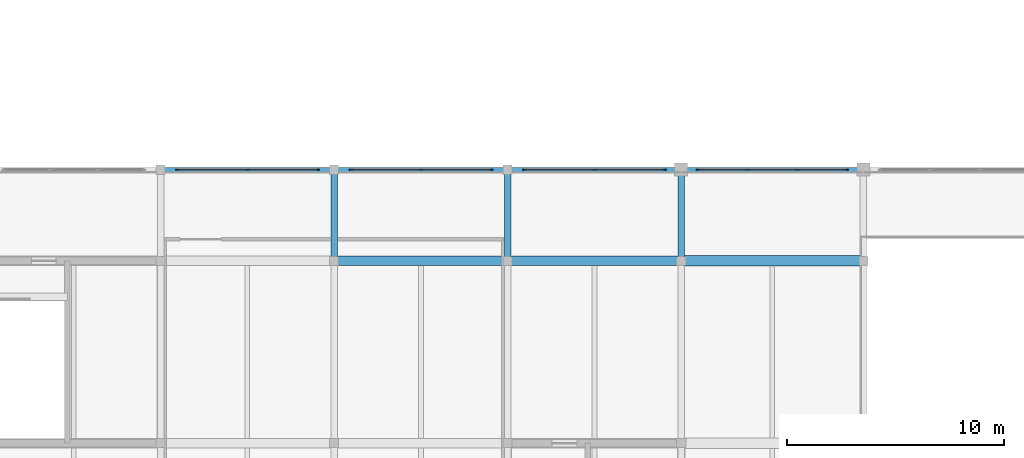
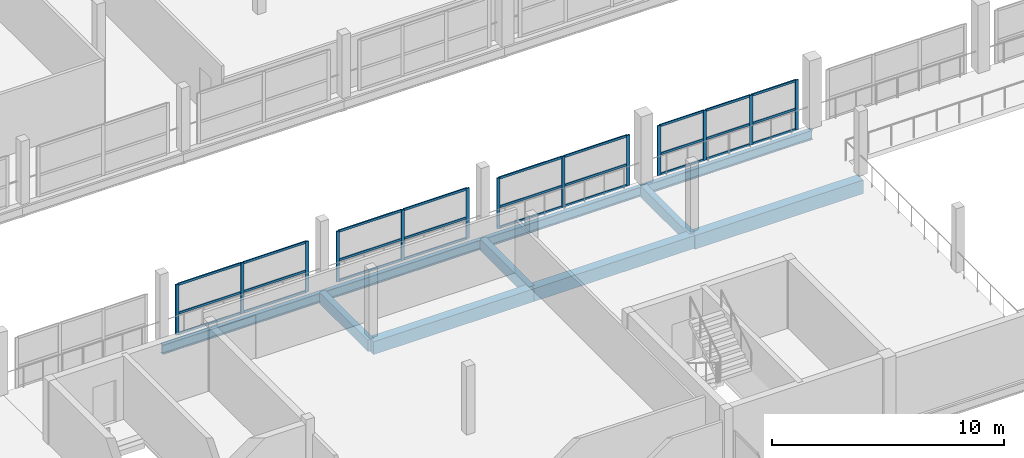
# One storey, part 21 of 51: 40 members, 10 beams, 4 elements without a shape of their own.
"""IFC4 building model written with IfcOpenShell, lengths in metres."""

from ifc_helpers import new_model, si_unit, direction, frame, origin, origin_2d, place, context, subcontext, project, spatial, rectangle, i_section, extrude, material, material_profile, profile_set, type_object, element, aggregate, save


model = new_model("IFC4")

# Units and contexts
model_context = context("Model", 3, precision=1e-05, world=origin(), true_north=direction((0.0, 1.0)))
body_context = subcontext(model_context, "Body", "Model", "MODEL_VIEW")
ifc_project = project(units=[si_unit("LENGTHUNIT", "METRE"), si_unit("AREAUNIT", "SQUARE_METRE"), si_unit("VOLUMEUNIT", "CUBIC_METRE"), si_unit("PLANEANGLEUNIT", "RADIAN"), si_unit("MASSUNIT", "GRAM", prefix="KILO")], contexts=[model_context])

# Site, building, storey
site_placement = place(None, origin())
site = spatial("IfcSite", under=ifc_project, at=site_placement, CompositionType="ELEMENT")
building_placement = place(site_placement, origin())
building = spatial("IfcBuilding", under=site, at=building_placement, Name="Vharandega Faculty of Natural Sciences", CompositionType="ELEMENT")
storey_placement = place(building_placement, frame((0.0, 0.0, 14.39990234375)))
storey = spatial("IfcBuildingStorey", under=building, at=storey_placement, Name="L03", CompositionType="ELEMENT", Elevation=14.39990234375)

# Curtain wall, members
ifc_material_1 = material(Name="Aluminium and solar-control glass curtain wall", Category="aluminium")
curtain_wall_type_1 = type_object("IfcCurtainWallType", Name="Unitised Curtain Wall System CW-12", PredefinedType="NOTDEFINED", material=ifc_material_1)
curtain_wall_1_placement = place(storey_placement, origin())
curtain_wall_1 = element("IfcCurtainWall", 1, at=curtain_wall_1_placement, inside=storey, type_object=curtain_wall_type_1, Name="Curtain Wall CW-L03-095", PredefinedType="NOTDEFINED")
ifc_material_2 = material(Name="Thermally broken aluminium 6063-T6", Category="aluminium")
ifc_material_profile_1 = material_profile(ifc_material_2, rectangle(XDim=0.06005859375, YDim=0.159912109375, at=origin_2d()), Name="ALU 60x160")
ifc_profile_set_1 = profile_set([ifc_material_profile_1], Name="Thermally broken aluminium 6063-T6")
member_type_1 = type_object("IfcMemberType", Name="CW Mullion 60x160", PredefinedType="MULLION", material=ifc_profile_set_1)
member_1_placement = place(storey_placement, frame((32.77001953125, 85.0, 0.0), z_axis=(0.0, 0.0, 1.0), x_axis=(0.0, 1.0, 0.0)))
member_1 = element("IfcMember", 2, at=member_1_placement, type_object=member_type_1, Name="CW-12 mullion 1", PredefinedType="MULLION", context=body_context, shape_type="SweptSolid", body=[
    extrude(rectangle(XDim=0.06005859375, YDim=0.159912109375, at=origin_2d()), origin(), (0.0, 0.0, 1.0), 2.66015625),
])
member_2_placement = place(storey_placement, frame((36.0, 85.0, 0.0), z_axis=(0.0, 0.0, 1.0), x_axis=(0.0, 1.0, 0.0)))
member_2 = element("IfcMember", 3, at=member_2_placement, type_object=member_type_1, Name="CW-12 mullion 2", PredefinedType="MULLION", context=body_context, shape_type="SweptSolid", body=[
    extrude(rectangle(XDim=0.06005859375, YDim=0.159912109375, at=origin_2d()), origin(), (0.0, 0.0, 1.0), 2.66015625),
])
member_3_placement = place(storey_placement, frame((39.22998046875, 85.0, 0.0), z_axis=(0.0, 0.0, 1.0), x_axis=(0.0, 1.0, 0.0)))
member_3 = element("IfcMember", 4, at=member_3_placement, type_object=member_type_1, Name="CW-12 mullion 3", PredefinedType="MULLION", context=body_context, shape_type="SweptSolid", body=[
    extrude(rectangle(XDim=0.06005859375, YDim=0.159912109375, at=origin_2d()), origin(), (0.0, 0.0, 1.0), 2.66015625),
])

ifc_material_3 = material(Name="Aluminium and solar-control glass curtain wall", Category="aluminium")
curtain_wall_type_2 = type_object("IfcCurtainWallType", Name="Unitised Curtain Wall System CW-13", PredefinedType="NOTDEFINED", material=ifc_material_3)
curtain_wall_2_placement = place(storey_placement, origin())
curtain_wall_2 = element("IfcCurtainWall", 5, at=curtain_wall_2_placement, inside=storey, type_object=curtain_wall_type_2, Name="Curtain Wall CW-L03-096", PredefinedType="NOTDEFINED")
member_4_placement = place(storey_placement, frame((40.77001953125, 85.0, 0.0), z_axis=(0.0, 0.0, 1.0), x_axis=(0.0, 1.0, 0.0)))
member_4 = element("IfcMember", 6, at=member_4_placement, type_object=member_type_1, Name="CW-13 mullion 1", PredefinedType="MULLION", context=body_context, shape_type="SweptSolid", body=[
    extrude(rectangle(XDim=0.06005859375, YDim=0.159912109375, at=origin_2d()), origin(), (0.0, 0.0, 1.0), 2.66015625),
])
member_5_placement = place(storey_placement, frame((44.0, 85.0, 0.0), z_axis=(0.0, 0.0, 1.0), x_axis=(0.0, 1.0, 0.0)))
member_5 = element("IfcMember", 7, at=member_5_placement, type_object=member_type_1, Name="CW-13 mullion 2", PredefinedType="MULLION", context=body_context, shape_type="SweptSolid", body=[
    extrude(rectangle(XDim=0.06005859375, YDim=0.159912109375, at=origin_2d()), origin(), (0.0, 0.0, 1.0), 2.66015625),
])
member_6_placement = place(storey_placement, frame((47.22998046875, 85.0, 0.0), z_axis=(0.0, 0.0, 1.0), x_axis=(0.0, 1.0, 0.0)))
member_6 = element("IfcMember", 8, at=member_6_placement, type_object=member_type_1, Name="CW-13 mullion 3", PredefinedType="MULLION", context=body_context, shape_type="SweptSolid", body=[
    extrude(rectangle(XDim=0.06005859375, YDim=0.159912109375, at=origin_2d()), origin(), (0.0, 0.0, 1.0), 2.66015625),
])

ifc_material_4 = material(Name="Aluminium and solar-control glass curtain wall", Category="aluminium")
curtain_wall_type_3 = type_object("IfcCurtainWallType", Name="Unitised Curtain Wall System CW-14", PredefinedType="NOTDEFINED", material=ifc_material_4)
curtain_wall_3_placement = place(storey_placement, origin())
curtain_wall_3 = element("IfcCurtainWall", 9, at=curtain_wall_3_placement, inside=storey, type_object=curtain_wall_type_3, Name="Curtain Wall CW-L03-097", PredefinedType="NOTDEFINED")
member_7_placement = place(storey_placement, frame((48.77001953125, 85.0, 0.0), z_axis=(0.0, 0.0, 1.0), x_axis=(0.0, 1.0, 0.0)))
member_7 = element("IfcMember", 10, at=member_7_placement, type_object=member_type_1, Name="CW-14 mullion 1", PredefinedType="MULLION", context=body_context, shape_type="SweptSolid", body=[
    extrude(rectangle(XDim=0.06005859375, YDim=0.159912109375, at=origin_2d()), origin(), (0.0, 0.0, 1.0), 2.66015625),
])
member_8_placement = place(storey_placement, frame((52.0, 85.0, 0.0), z_axis=(0.0, 0.0, 1.0), x_axis=(0.0, 1.0, 0.0)))
member_8 = element("IfcMember", 11, at=member_8_placement, type_object=member_type_1, Name="CW-14 mullion 2", PredefinedType="MULLION", context=body_context, shape_type="SweptSolid", body=[
    extrude(rectangle(XDim=0.06005859375, YDim=0.159912109375, at=origin_2d()), origin(), (0.0, 0.0, 1.0), 2.66015625),
])
member_9_placement = place(storey_placement, frame((55.22998046875, 85.0, 0.0), z_axis=(0.0, 0.0, 1.0), x_axis=(0.0, 1.0, 0.0)))
member_9 = element("IfcMember", 12, at=member_9_placement, type_object=member_type_1, Name="CW-14 mullion 3", PredefinedType="MULLION", context=body_context, shape_type="SweptSolid", body=[
    extrude(rectangle(XDim=0.06005859375, YDim=0.159912109375, at=origin_2d()), origin(), (0.0, 0.0, 1.0), 2.66015625),
])

ifc_material_5 = material(Name="Aluminium and solar-control glass curtain wall", Category="aluminium")
curtain_wall_type_4 = type_object("IfcCurtainWallType", Name="Unitised Curtain Wall System CW-15", PredefinedType="NOTDEFINED", material=ifc_material_5)
curtain_wall_4_placement = place(storey_placement, origin())
curtain_wall_4 = element("IfcCurtainWall", 13, at=curtain_wall_4_placement, inside=storey, type_object=curtain_wall_type_4, Name="Curtain Wall CW-L03-098", PredefinedType="NOTDEFINED")
member_10_placement = place(storey_placement, frame((56.77001953125, 85.0, 0.0), z_axis=(0.0, 0.0, 1.0), x_axis=(0.0, 1.0, 0.0)))
member_10 = element("IfcMember", 14, at=member_10_placement, type_object=member_type_1, Name="CW-15 mullion 1", PredefinedType="MULLION", context=body_context, shape_type="SweptSolid", body=[
    extrude(rectangle(XDim=0.06005859375, YDim=0.159912109375, at=origin_2d()), origin(), (0.0, 0.0, 1.0), 2.6201171875),
])
member_11_placement = place(storey_placement, frame((59.046630859375, 85.0, 0.0), z_axis=(0.0, 0.0, 1.0), x_axis=(0.0, 1.0, 0.0)))
member_11 = element("IfcMember", 15, at=member_11_placement, type_object=member_type_1, Name="CW-15 mullion 2", PredefinedType="MULLION", context=body_context, shape_type="SweptSolid", body=[
    extrude(rectangle(XDim=0.06005859375, YDim=0.159912109375, at=origin_2d()), origin(), (0.0, 0.0, 1.0), 2.6201171875),
])
member_12_placement = place(storey_placement, frame((61.353271484375, 85.0, 0.0), z_axis=(0.0, 0.0, 1.0), x_axis=(0.0, 1.0, 0.0)))
member_12 = element("IfcMember", 16, at=member_12_placement, type_object=member_type_1, Name="CW-15 mullion 3", PredefinedType="MULLION", context=body_context, shape_type="SweptSolid", body=[
    extrude(rectangle(XDim=0.06005859375, YDim=0.159912109375, at=origin_2d()), origin(), (0.0, 0.0, 1.0), 2.6201171875),
])
member_13_placement = place(storey_placement, frame((63.6298828125, 85.0, 0.0), z_axis=(0.0, 0.0, 1.0), x_axis=(0.0, 1.0, 0.0)))
member_13 = element("IfcMember", 17, at=member_13_placement, type_object=member_type_1, Name="CW-15 mullion 4", PredefinedType="MULLION", context=body_context, shape_type="SweptSolid", body=[
    extrude(rectangle(XDim=0.06005859375, YDim=0.159912109375, at=origin_2d()), origin(), (0.0, 0.0, 1.0), 2.6201171875),
])

# Member
ifc_material_6 = material(Name="Thermally broken aluminium 6063-T6", Category="aluminium")
ifc_material_profile_2 = material_profile(ifc_material_6, rectangle(XDim=0.06005859375, YDim=0.1201171875, at=origin_2d()), Name="ALU 60x120")
ifc_profile_set_2 = profile_set([ifc_material_profile_2], Name="Thermally broken aluminium 6063-T6")
member_type_2 = type_object("IfcMemberType", Name="CW Transom 60x120", PredefinedType="USERDEFINED", material=ifc_profile_set_2)
member_14_placement = place(storey_placement, frame((32.800048828125, 85.0, 0.030029296875), z_axis=(1.0, 0.0, 0.0), x_axis=(0.0, 1.0, 0.0)))
member_14 = element("IfcMember", 18, at=member_14_placement, type_object=member_type_2, Name="CW-12 transom 1.1", ObjectType="TRANSOM", PredefinedType="USERDEFINED", context=body_context, shape_type="SweptSolid", body=[
    extrude(rectangle(XDim=0.06005859375, YDim=0.1201171875, at=origin_2d()), origin(), (0.0, 0.0, 1.0), 3.169921875),
])

member_15_placement = place(storey_placement, frame((32.800048828125, 85.0, 1.1171875), z_axis=(1.0, 0.0, 0.0), x_axis=(0.0, 1.0, 0.0)))
member_15 = element("IfcMember", 19, at=member_15_placement, type_object=member_type_2, Name="CW-12 transom 1.2", ObjectType="TRANSOM", PredefinedType="USERDEFINED", context=body_context, shape_type="SweptSolid", body=[
    extrude(rectangle(XDim=0.06005859375, YDim=0.1201171875, at=origin_2d()), origin(), (0.0, 0.0, 1.0), 3.169921875),
])

member_16_placement = place(storey_placement, frame((32.800048828125, 85.0, 2.630126953125), z_axis=(1.0, 0.0, 0.0), x_axis=(0.0, 1.0, 0.0)))
member_16 = element("IfcMember", 20, at=member_16_placement, type_object=member_type_2, Name="CW-12 transom 1.3", ObjectType="TRANSOM", PredefinedType="USERDEFINED", context=body_context, shape_type="SweptSolid", body=[
    extrude(rectangle(XDim=0.06005859375, YDim=0.1201171875, at=origin_2d()), origin(), (0.0, 0.0, 1.0), 3.169921875),
])

member_17_placement = place(storey_placement, frame((36.030029296875, 85.0, 0.030029296875), z_axis=(1.0, 0.0, 0.0), x_axis=(0.0, 1.0, 0.0)))
member_17 = element("IfcMember", 21, at=member_17_placement, type_object=member_type_2, Name="CW-12 transom 2.1", ObjectType="TRANSOM", PredefinedType="USERDEFINED", context=body_context, shape_type="SweptSolid", body=[
    extrude(rectangle(XDim=0.06005859375, YDim=0.1201171875, at=origin_2d()), origin(), (0.0, 0.0, 1.0), 3.169921875),
])

member_18_placement = place(storey_placement, frame((36.030029296875, 85.0, 1.1171875), z_axis=(1.0, 0.0, 0.0), x_axis=(0.0, 1.0, 0.0)))
member_18 = element("IfcMember", 22, at=member_18_placement, type_object=member_type_2, Name="CW-12 transom 2.2", ObjectType="TRANSOM", PredefinedType="USERDEFINED", context=body_context, shape_type="SweptSolid", body=[
    extrude(rectangle(XDim=0.06005859375, YDim=0.1201171875, at=origin_2d()), origin(), (0.0, 0.0, 1.0), 3.169921875),
])

member_19_placement = place(storey_placement, frame((36.030029296875, 85.0, 2.630126953125), z_axis=(1.0, 0.0, 0.0), x_axis=(0.0, 1.0, 0.0)))
member_19 = element("IfcMember", 23, at=member_19_placement, type_object=member_type_2, Name="CW-12 transom 2.3", ObjectType="TRANSOM", PredefinedType="USERDEFINED", context=body_context, shape_type="SweptSolid", body=[
    extrude(rectangle(XDim=0.06005859375, YDim=0.1201171875, at=origin_2d()), origin(), (0.0, 0.0, 1.0), 3.169921875),
])

aggregate(curtain_wall_1, [member_1, member_2, member_3, member_14, member_15, member_16, member_17, member_18, member_19])

member_20_placement = place(storey_placement, frame((40.800048828125, 85.0, 0.030029296875), z_axis=(1.0, 0.0, 0.0), x_axis=(0.0, 1.0, 0.0)))
member_20 = element("IfcMember", 24, at=member_20_placement, type_object=member_type_2, Name="CW-13 transom 1.1", ObjectType="TRANSOM", PredefinedType="USERDEFINED", context=body_context, shape_type="SweptSolid", body=[
    extrude(rectangle(XDim=0.06005859375, YDim=0.1201171875, at=origin_2d()), origin(), (0.0, 0.0, 1.0), 3.169921875),
])

member_21_placement = place(storey_placement, frame((40.800048828125, 85.0, 1.1171875), z_axis=(1.0, 0.0, 0.0), x_axis=(0.0, 1.0, 0.0)))
member_21 = element("IfcMember", 25, at=member_21_placement, type_object=member_type_2, Name="CW-13 transom 1.2", ObjectType="TRANSOM", PredefinedType="USERDEFINED", context=body_context, shape_type="SweptSolid", body=[
    extrude(rectangle(XDim=0.06005859375, YDim=0.1201171875, at=origin_2d()), origin(), (0.0, 0.0, 1.0), 3.169921875),
])

member_22_placement = place(storey_placement, frame((40.800048828125, 85.0, 2.630126953125), z_axis=(1.0, 0.0, 0.0), x_axis=(0.0, 1.0, 0.0)))
member_22 = element("IfcMember", 26, at=member_22_placement, type_object=member_type_2, Name="CW-13 transom 1.3", ObjectType="TRANSOM", PredefinedType="USERDEFINED", context=body_context, shape_type="SweptSolid", body=[
    extrude(rectangle(XDim=0.06005859375, YDim=0.1201171875, at=origin_2d()), origin(), (0.0, 0.0, 1.0), 3.169921875),
])

member_23_placement = place(storey_placement, frame((44.030029296875, 85.0, 0.030029296875), z_axis=(1.0, 0.0, 0.0), x_axis=(0.0, 1.0, 0.0)))
member_23 = element("IfcMember", 27, at=member_23_placement, type_object=member_type_2, Name="CW-13 transom 2.1", ObjectType="TRANSOM", PredefinedType="USERDEFINED", context=body_context, shape_type="SweptSolid", body=[
    extrude(rectangle(XDim=0.06005859375, YDim=0.1201171875, at=origin_2d()), origin(), (0.0, 0.0, 1.0), 3.169921875),
])

member_24_placement = place(storey_placement, frame((44.030029296875, 85.0, 1.1171875), z_axis=(1.0, 0.0, 0.0), x_axis=(0.0, 1.0, 0.0)))
member_24 = element("IfcMember", 28, at=member_24_placement, type_object=member_type_2, Name="CW-13 transom 2.2", ObjectType="TRANSOM", PredefinedType="USERDEFINED", context=body_context, shape_type="SweptSolid", body=[
    extrude(rectangle(XDim=0.06005859375, YDim=0.1201171875, at=origin_2d()), origin(), (0.0, 0.0, 1.0), 3.169921875),
])

member_25_placement = place(storey_placement, frame((44.030029296875, 85.0, 2.630126953125), z_axis=(1.0, 0.0, 0.0), x_axis=(0.0, 1.0, 0.0)))
member_25 = element("IfcMember", 29, at=member_25_placement, type_object=member_type_2, Name="CW-13 transom 2.3", ObjectType="TRANSOM", PredefinedType="USERDEFINED", context=body_context, shape_type="SweptSolid", body=[
    extrude(rectangle(XDim=0.06005859375, YDim=0.1201171875, at=origin_2d()), origin(), (0.0, 0.0, 1.0), 3.169921875),
])

aggregate(curtain_wall_2, [member_4, member_5, member_6, member_20, member_21, member_22, member_23, member_24, member_25])

member_26_placement = place(storey_placement, frame((48.800048828125, 85.0, 0.030029296875), z_axis=(1.0, 0.0, 0.0), x_axis=(0.0, 1.0, 0.0)))
member_26 = element("IfcMember", 30, at=member_26_placement, type_object=member_type_2, Name="CW-14 transom 1.1", ObjectType="TRANSOM", PredefinedType="USERDEFINED", context=body_context, shape_type="SweptSolid", body=[
    extrude(rectangle(XDim=0.06005859375, YDim=0.1201171875, at=origin_2d()), origin(), (0.0, 0.0, 1.0), 3.169921875),
])

member_27_placement = place(storey_placement, frame((48.800048828125, 85.0, 1.1171875), z_axis=(1.0, 0.0, 0.0), x_axis=(0.0, 1.0, 0.0)))
member_27 = element("IfcMember", 31, at=member_27_placement, type_object=member_type_2, Name="CW-14 transom 1.2", ObjectType="TRANSOM", PredefinedType="USERDEFINED", context=body_context, shape_type="SweptSolid", body=[
    extrude(rectangle(XDim=0.06005859375, YDim=0.1201171875, at=origin_2d()), origin(), (0.0, 0.0, 1.0), 3.169921875),
])

member_28_placement = place(storey_placement, frame((48.800048828125, 85.0, 2.630126953125), z_axis=(1.0, 0.0, 0.0), x_axis=(0.0, 1.0, 0.0)))
member_28 = element("IfcMember", 32, at=member_28_placement, type_object=member_type_2, Name="CW-14 transom 1.3", ObjectType="TRANSOM", PredefinedType="USERDEFINED", context=body_context, shape_type="SweptSolid", body=[
    extrude(rectangle(XDim=0.06005859375, YDim=0.1201171875, at=origin_2d()), origin(), (0.0, 0.0, 1.0), 3.169921875),
])

member_29_placement = place(storey_placement, frame((52.030029296875, 85.0, 0.030029296875), z_axis=(1.0, 0.0, 0.0), x_axis=(0.0, 1.0, 0.0)))
member_29 = element("IfcMember", 33, at=member_29_placement, type_object=member_type_2, Name="CW-14 transom 2.1", ObjectType="TRANSOM", PredefinedType="USERDEFINED", context=body_context, shape_type="SweptSolid", body=[
    extrude(rectangle(XDim=0.06005859375, YDim=0.1201171875, at=origin_2d()), origin(), (0.0, 0.0, 1.0), 3.169921875),
])

member_30_placement = place(storey_placement, frame((52.030029296875, 85.0, 1.1171875), z_axis=(1.0, 0.0, 0.0), x_axis=(0.0, 1.0, 0.0)))
member_30 = element("IfcMember", 34, at=member_30_placement, type_object=member_type_2, Name="CW-14 transom 2.2", ObjectType="TRANSOM", PredefinedType="USERDEFINED", context=body_context, shape_type="SweptSolid", body=[
    extrude(rectangle(XDim=0.06005859375, YDim=0.1201171875, at=origin_2d()), origin(), (0.0, 0.0, 1.0), 3.169921875),
])

member_31_placement = place(storey_placement, frame((52.030029296875, 85.0, 2.630126953125), z_axis=(1.0, 0.0, 0.0), x_axis=(0.0, 1.0, 0.0)))
member_31 = element("IfcMember", 35, at=member_31_placement, type_object=member_type_2, Name="CW-14 transom 2.3", ObjectType="TRANSOM", PredefinedType="USERDEFINED", context=body_context, shape_type="SweptSolid", body=[
    extrude(rectangle(XDim=0.06005859375, YDim=0.1201171875, at=origin_2d()), origin(), (0.0, 0.0, 1.0), 3.169921875),
])

aggregate(curtain_wall_3, [member_7, member_8, member_9, member_26, member_27, member_28, member_29, member_30, member_31])

member_32_placement = place(storey_placement, frame((56.800048828125, 85.0, 0.030029296875), z_axis=(1.0, 0.0, 0.0), x_axis=(0.0, 1.0, 0.0)))
member_32 = element("IfcMember", 36, at=member_32_placement, type_object=member_type_2, Name="CW-15 transom 1.1", ObjectType="TRANSOM", PredefinedType="USERDEFINED", context=body_context, shape_type="SweptSolid", body=[
    extrude(rectangle(XDim=0.06005859375, YDim=0.1201171875, at=origin_2d()), origin(), (0.0, 0.0, 1.0), 2.216552734375),
])

member_33_placement = place(storey_placement, frame((56.800048828125, 85.0, 1.1005859375), z_axis=(1.0, 0.0, 0.0), x_axis=(0.0, 1.0, 0.0)))
member_33 = element("IfcMember", 37, at=member_33_placement, type_object=member_type_2, Name="CW-15 transom 1.2", ObjectType="TRANSOM", PredefinedType="USERDEFINED", context=body_context, shape_type="SweptSolid", body=[
    extrude(rectangle(XDim=0.06005859375, YDim=0.1201171875, at=origin_2d()), origin(), (0.0, 0.0, 1.0), 2.216552734375),
])

member_34_placement = place(storey_placement, frame((56.800048828125, 85.0, 2.590087890625), z_axis=(1.0, 0.0, 0.0), x_axis=(0.0, 1.0, 0.0)))
member_34 = element("IfcMember", 38, at=member_34_placement, type_object=member_type_2, Name="CW-15 transom 1.3", ObjectType="TRANSOM", PredefinedType="USERDEFINED", context=body_context, shape_type="SweptSolid", body=[
    extrude(rectangle(XDim=0.06005859375, YDim=0.1201171875, at=origin_2d()), origin(), (0.0, 0.0, 1.0), 2.216552734375),
])

member_35_placement = place(storey_placement, frame((59.07666015625, 85.0, 0.030029296875), z_axis=(1.0, 0.0, 0.0), x_axis=(0.0, 1.0, 0.0)))
member_35 = element("IfcMember", 39, at=member_35_placement, type_object=member_type_2, Name="CW-15 transom 2.1", ObjectType="TRANSOM", PredefinedType="USERDEFINED", context=body_context, shape_type="SweptSolid", body=[
    extrude(rectangle(XDim=0.06005859375, YDim=0.1201171875, at=origin_2d()), origin(), (0.0, 0.0, 1.0), 2.24658203125),
])

member_36_placement = place(storey_placement, frame((59.07666015625, 85.0, 1.1005859375), z_axis=(1.0, 0.0, 0.0), x_axis=(0.0, 1.0, 0.0)))
member_36 = element("IfcMember", 40, at=member_36_placement, type_object=member_type_2, Name="CW-15 transom 2.2", ObjectType="TRANSOM", PredefinedType="USERDEFINED", context=body_context, shape_type="SweptSolid", body=[
    extrude(rectangle(XDim=0.06005859375, YDim=0.1201171875, at=origin_2d()), origin(), (0.0, 0.0, 1.0), 2.24658203125),
])

member_37_placement = place(storey_placement, frame((59.07666015625, 85.0, 2.590087890625), z_axis=(1.0, 0.0, 0.0), x_axis=(0.0, 1.0, 0.0)))
member_37 = element("IfcMember", 41, at=member_37_placement, type_object=member_type_2, Name="CW-15 transom 2.3", ObjectType="TRANSOM", PredefinedType="USERDEFINED", context=body_context, shape_type="SweptSolid", body=[
    extrude(rectangle(XDim=0.06005859375, YDim=0.1201171875, at=origin_2d()), origin(), (0.0, 0.0, 1.0), 2.24658203125),
])

member_38_placement = place(storey_placement, frame((61.38330078125, 85.0, 0.030029296875), z_axis=(1.0, 0.0, 0.0), x_axis=(0.0, 1.0, 0.0)))
member_38 = element("IfcMember", 42, at=member_38_placement, type_object=member_type_2, Name="CW-15 transom 3.1", ObjectType="TRANSOM", PredefinedType="USERDEFINED", context=body_context, shape_type="SweptSolid", body=[
    extrude(rectangle(XDim=0.06005859375, YDim=0.1201171875, at=origin_2d()), origin(), (0.0, 0.0, 1.0), 2.216796875),
])

member_39_placement = place(storey_placement, frame((61.38330078125, 85.0, 1.1005859375), z_axis=(1.0, 0.0, 0.0), x_axis=(0.0, 1.0, 0.0)))
member_39 = element("IfcMember", 43, at=member_39_placement, type_object=member_type_2, Name="CW-15 transom 3.2", ObjectType="TRANSOM", PredefinedType="USERDEFINED", context=body_context, shape_type="SweptSolid", body=[
    extrude(rectangle(XDim=0.06005859375, YDim=0.1201171875, at=origin_2d()), origin(), (0.0, 0.0, 1.0), 2.216796875),
])

member_40_placement = place(storey_placement, frame((61.38330078125, 85.0, 2.590087890625), z_axis=(1.0, 0.0, 0.0), x_axis=(0.0, 1.0, 0.0)))
member_40 = element("IfcMember", 44, at=member_40_placement, type_object=member_type_2, Name="CW-15 transom 3.3", ObjectType="TRANSOM", PredefinedType="USERDEFINED", context=body_context, shape_type="SweptSolid", body=[
    extrude(rectangle(XDim=0.06005859375, YDim=0.1201171875, at=origin_2d()), origin(), (0.0, 0.0, 1.0), 2.216796875),
])

aggregate(curtain_wall_4, [member_10, member_11, member_12, member_13, member_32, member_33, member_34, member_35, member_36, member_37, member_38, member_39, member_40])

# Beams
ifc_material_7 = material(Name="Glulam GL28h", Category="wood")
ifc_material_profile_3 = material_profile(ifc_material_7, rectangle(XDim=0.300048828125, YDim=0.60009765625, at=origin_2d()), Name="GL28h 300x600")
ifc_profile_set_3 = profile_set([ifc_material_profile_3], Name="Glulam GL28h")
beam_type_1 = type_object("IfcBeamType", Name="Glulam Floor Beam 300x600", PredefinedType="BEAM", material=ifc_profile_set_3)
for number, where, z_axis, x_axis, name in (
    (45, (40.0, 80.800048828125, -0.539794921875), (0.0, 1.0, 0.0), (-1.0, 0.0, 0.0), "Beam L03 6/L-M"),
    (46, (48.0, 80.800048828125, -0.539794921875), (0.0, 1.0, 0.0), (-1.0, 0.0, 0.0), "Beam L03 7/L-M"),
    (47, (56.0, 80.800048828125, -0.539794921875), (0.0, 1.0, 0.0), (-1.0, 0.0, 0.0), "Beam L03 8/L-M"),
):
    element("IfcBeam", number, at=place(storey_placement, frame(where, z_axis=z_axis, x_axis=x_axis)), inside=storey, type_object=beam_type_1, Name=name, PredefinedType="BEAM", context=body_context, shape_type="SweptSolid", body=[
        extrude(rectangle(XDim=0.300048828125, YDim=0.60009765625, at=origin_2d()), origin(), (0.0, 0.0, 1.0), 4.199951171875),
    ])
ifc_material_8 = material(Name="Glulam GL32h", Category="wood")
ifc_material_profile_4 = material_profile(ifc_material_8, rectangle(XDim=0.43994140625, YDim=0.679931640625, at=origin_2d()), Name="GL32h 440x680")
ifc_profile_set_4 = profile_set([ifc_material_profile_4], Name="Glulam GL32h")
beam_type_2 = type_object("IfcBeamType", Name="Glulam Girder 440x680", PredefinedType="BEAM", material=ifc_profile_set_4)
for number, where, z_axis, x_axis, name in (
    (48, (40.0, 80.800048828125, -0.579833984375), (1.0, 0.0, 0.0), (0.0, 1.0, 0.0), "Beam L03 L/6-7"),
    (49, (48.0, 80.800048828125, -0.579833984375), (1.0, 0.0, 0.0), (0.0, 1.0, 0.0), "Beam L03 L/7-8"),
):
    element("IfcBeam", number, at=place(storey_placement, frame(where, z_axis=z_axis, x_axis=x_axis)), inside=storey, type_object=beam_type_2, Name=name, PredefinedType="BEAM", context=body_context, shape_type="SweptSolid", body=[
        extrude(rectangle(XDim=0.43994140625, YDim=0.679931640625, at=origin_2d()), origin(), (0.0, 0.0, 1.0), 8.0),
    ])
ifc_material_9 = material(Name="Glulam GL32h", Category="wood")
ifc_material_profile_5 = material_profile(ifc_material_9, rectangle(XDim=0.47998046875, YDim=0.719970703125, at=origin_2d()), Name="GL32h 480x720")
ifc_profile_set_5 = profile_set([ifc_material_profile_5], Name="Glulam GL32h")
beam_type_3 = type_object("IfcBeamType", Name="Glulam Primary Girder 480x720", PredefinedType="BEAM", material=ifc_profile_set_5)
beam_1_placement = place(storey_placement, frame((56.0, 80.800048828125, -0.599853515625), z_axis=(1.0, 0.0, 0.0), x_axis=(0.0, 1.0, 0.0)))
element("IfcBeam", 50, at=beam_1_placement, inside=storey, type_object=beam_type_3, Name="Beam L03 L/8-9", PredefinedType="BEAM", context=body_context, shape_type="SweptSolid", body=[
    extrude(rectangle(XDim=0.47998046875, YDim=0.719970703125, at=origin_2d()), origin(), (0.0, 0.0, 1.0), 8.39990234375),
])
ifc_material_10 = material(Name="Steel S355", Category="steel")
ifc_material_profile_6 = material_profile(ifc_material_10, i_section(OverallWidth=0.199951171875, OverallDepth=0.5, WebThickness=0.01025390625, FlangeThickness=0.01611328125, FilletRadius=0.02099609375, at=origin_2d()), Name="IPE 500")
ifc_profile_set_6 = profile_set([ifc_material_profile_6], Name="Steel S355")
beam_type_4 = type_object("IfcBeamType", Name="Steel Spandrel Beam IPE 500", PredefinedType="SPANDREL", material=ifc_profile_set_6)
for number, where, z_axis, x_axis, name in (
    (51, (32.0, 85.0, -0.489990234375), (1.0, 0.0, 0.0), (0.0, 1.0, 0.0), "Beam L03 M/5-6"),
    (52, (40.0, 85.0, -0.489990234375), (1.0, 0.0, 0.0), (0.0, 1.0, 0.0), "Beam L03 M/6-7"),
    (53, (48.0, 85.0, -0.489990234375), (1.0, 0.0, 0.0), (0.0, 1.0, 0.0), "Beam L03 M/7-8"),
):
    element("IfcBeam", number, at=place(storey_placement, frame(where, z_axis=z_axis, x_axis=x_axis)), inside=storey, type_object=beam_type_4, Name=name, PredefinedType="SPANDREL", context=body_context, shape_type="SweptSolid", body=[
        extrude(i_section(OverallWidth=0.199951171875, OverallDepth=0.5, WebThickness=0.01025390625, FlangeThickness=0.01611328125, FilletRadius=0.02099609375, at=origin_2d()), origin(), (0.0, 0.0, 1.0), 8.0),
    ])
beam_2_placement = place(storey_placement, frame((56.0, 85.0, -0.489990234375), z_axis=(1.0, 0.0, 0.0), x_axis=(0.0, 1.0, 0.0)))
element("IfcBeam", 54, at=beam_2_placement, inside=storey, type_object=beam_type_4, Name="Beam L03 M/8-9", PredefinedType="SPANDREL", context=body_context, shape_type="SweptSolid", body=[
    extrude(i_section(OverallWidth=0.199951171875, OverallDepth=0.5, WebThickness=0.01025390625, FlangeThickness=0.01611328125, FilletRadius=0.02099609375, at=origin_2d()), origin(), (0.0, 0.0, 1.0), 8.39990234375),
])

save(model, "model.ifc")
